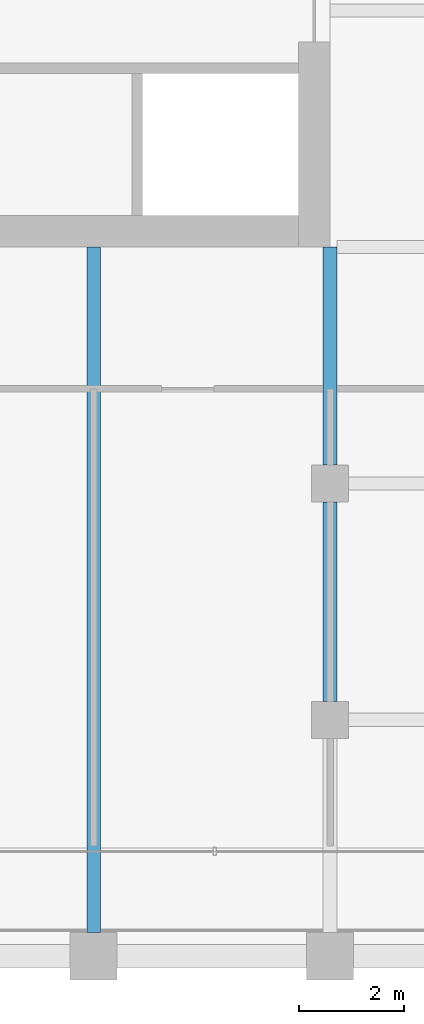
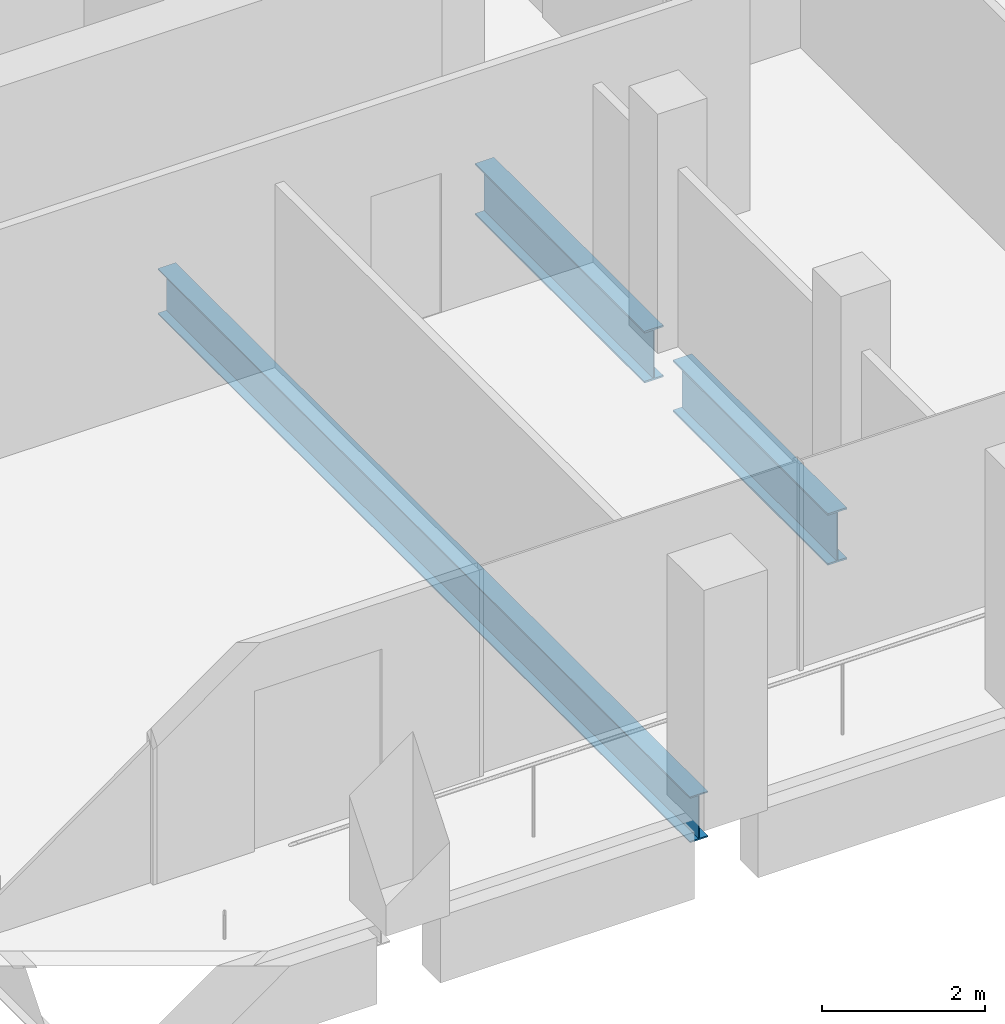
# One storey, part 10 of 40: 3 beams.
"""IFC4 building model written with IfcOpenShell, lengths in metres."""

from ifc_helpers import new_model, si_unit, direction, frame, origin, origin_2d, place, context, subcontext, project, spatial, i_section, extrude, material, material_profile, profile_set, type_object, element, save


model = new_model("IFC4")

# Units and contexts
model_context = context("Model", 3, precision=1e-05, world=origin(), true_north=direction((0.0, 1.0)))
body_context = subcontext(model_context, "Body", "Model", "MODEL_VIEW")
ifc_project = project(units=[si_unit("LENGTHUNIT", "METRE"), si_unit("AREAUNIT", "SQUARE_METRE"), si_unit("VOLUMEUNIT", "CUBIC_METRE"), si_unit("PLANEANGLEUNIT", "RADIAN"), si_unit("MASSUNIT", "GRAM", prefix="KILO")], contexts=[model_context])

# Site, building, storey
site_placement = place(None, origin())
site = spatial("IfcSite", under=ifc_project, at=site_placement, CompositionType="ELEMENT")
building_placement = place(site_placement, origin())
building = spatial("IfcBuilding", under=site, at=building_placement, Name="Altepetl Exchange Towers", CompositionType="ELEMENT")
storey_placement = place(building_placement, frame((0.0, 0.0, 172.60009765625)))
storey = spatial("IfcBuildingStorey", under=building, at=storey_placement, Name="L43", CompositionType="ELEMENT", Elevation=172.60009765625)

# Beams
ifc_material = material(Name="Steel S355", Category="steel")
ifc_material_profile_1 = material_profile(ifc_material, i_section(OverallWidth=0.25390625, OverallDepth=0.68408203125, WebThickness=0.012451171875, FlangeThickness=0.018798828125, at=origin_2d()), Name="W27X94")
ifc_profile_set_1 = profile_set([ifc_material_profile_1], Name="Steel S355")
beam_type_1 = type_object("IfcBeamType", Name="Floor beam W27X94", PredefinedType="BEAM", material=ifc_profile_set_1)
beam_1_placement = place(storey_placement, frame((54.0, 27.449951171875, -0.4921875), z_axis=(0.0, 1.0, 0.0), x_axis=(-1.0, 0.0, 0.0)))
element("IfcBeam", 1, at=beam_1_placement, inside=storey, type_object=beam_type_1, Name="bm:A:L43:017", PredefinedType="BEAM", context=body_context, shape_type="SweptSolid", body=[
    extrude(i_section(OverallWidth=0.25390625, OverallDepth=0.68408203125, WebThickness=0.012451171875, FlangeThickness=0.018798828125, at=origin_2d()), origin(), (0.0, 0.0, 1.0), 13.050048828125),
])
ifc_material_profile_2 = material_profile(ifc_material, i_section(OverallWidth=0.26806640625, OverallDepth=0.77392578125, WebThickness=0.015380859375, FlangeThickness=0.025390625, at=origin_2d()), Name="W30X132")
ifc_profile_set_2 = profile_set([ifc_material_profile_2], Name="Steel S355")
beam_type_2 = type_object("IfcBeamType", Name="Girder W30X132", PredefinedType="BEAM", material=ifc_profile_set_2)
beam_2_placement = place(storey_placement, frame((58.5, 40.5, -0.537109375), z_axis=(0.0, -1.0, 0.0), x_axis=(1.0, 0.0, 0.0)))
element("IfcBeam", 2, at=beam_2_placement, inside=storey, type_object=beam_type_2, Name="gd:A:L43:003", PredefinedType="BEAM", context=body_context, shape_type="SweptSolid", body=[
    extrude(i_section(OverallWidth=0.26806640625, OverallDepth=0.77392578125, WebThickness=0.015380859375, FlangeThickness=0.025390625, at=origin_2d()), origin(), (0.0, 0.0, 1.0), 4.14990234375),
])
beam_3_placement = place(storey_placement, frame((58.5, 35.64990234375, -0.537109375), z_axis=(0.0, -1.0, 0.0), x_axis=(1.0, 0.0, 0.0)))
element("IfcBeam", 3, at=beam_3_placement, inside=storey, type_object=beam_type_2, Name="gd:A:L43:004", PredefinedType="BEAM", context=body_context, shape_type="SweptSolid", body=[
    extrude(i_section(OverallWidth=0.26806640625, OverallDepth=0.77392578125, WebThickness=0.015380859375, FlangeThickness=0.025390625, at=origin_2d()), origin(), (0.0, 0.0, 1.0), 3.7998046875),
])

save(model, "model.ifc")
